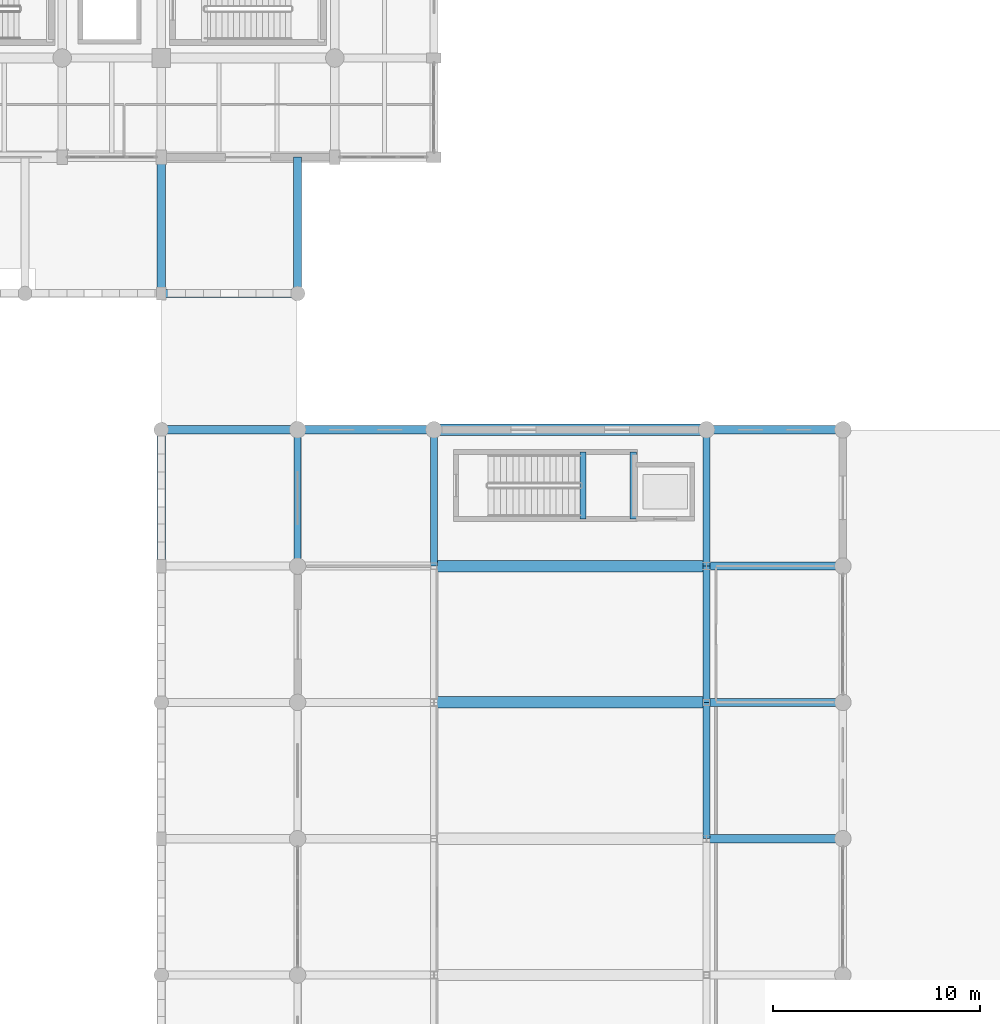
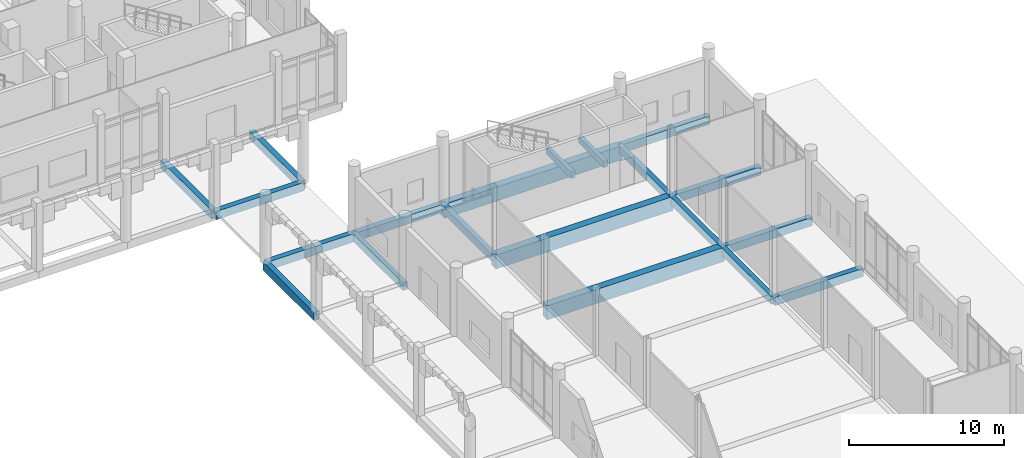
# One storey, part 15 of 72: 20 beams.
"""IFC4 building model written with IfcOpenShell, lengths in metres."""

from ifc_helpers import new_model, si_unit, direction, frame, origin, origin_2d, place, context, subcontext, project, spatial, rectangle, extrude, material, material_profile, profile_set, type_object, element, save


model = new_model("IFC4")

# Units and contexts
model_context = context("Model", 3, precision=1e-05, world=origin(), true_north=direction((0.0, 1.0)))
body_context = subcontext(model_context, "Body", "Model", "MODEL_VIEW")
ifc_project = project(units=[si_unit("LENGTHUNIT", "METRE"), si_unit("AREAUNIT", "SQUARE_METRE"), si_unit("VOLUMEUNIT", "CUBIC_METRE"), si_unit("PLANEANGLEUNIT", "RADIAN"), si_unit("MASSUNIT", "GRAM", prefix="KILO")], contexts=[model_context])

# Site, building, storey
site_placement = place(None, origin())
site = spatial("IfcSite", under=ifc_project, at=site_placement, CompositionType="ELEMENT")
building_placement = place(site_placement, origin())
building = spatial("IfcBuilding", under=site, at=building_placement, Name="Dornvale Research Institute", CompositionType="ELEMENT")
storey_placement = place(building_placement, origin())
storey = spatial("IfcBuildingStorey", under=building, at=storey_placement, Name="L00", CompositionType="ELEMENT", Elevation=0.0)

# Beams
ifc_material_1 = material(Name="Concrete f'c 45 MPa (C35/45)", Category="concrete")
ifc_material_profile_1 = material_profile(ifc_material_1, rectangle(XDim=0.300048828125, YDim=0.5, at=origin_2d()), Name="RC 300x500")
ifc_profile_set_1 = profile_set([ifc_material_profile_1], Name="Concrete f'c 45 MPa (C35/45)")
beam_type_1 = type_object("IfcBeamType", Name="Beam_RC300x500_Trim", PredefinedType="BEAM", material=ifc_profile_set_1)
for number, where, z_axis, x_axis, name in (
    (1, (55.85009765625, 81.47998046875, 2.25), (0.0, 1.0, 0.0), (-1.0, 0.0, 0.0), "L00 ST-8 half-landing support beam #105"),
    (2, (53.419921875, 81.47998046875, 2.25), (0.0, 1.0, 0.0), (-1.0, 0.0, 0.0), "L00 ST-8 base half-landing trimmer #106"),
):
    element("IfcBeam", number, at=place(storey_placement, frame(where, z_axis=z_axis, x_axis=x_axis)), inside=storey, type_object=beam_type_1, Name=name, PredefinedType="BEAM", context=body_context, shape_type="SweptSolid", body=[
        extrude(rectangle(XDim=0.300048828125, YDim=0.5, at=origin_2d()), origin(), (0.0, 0.0, 1.0), 3.239990234375),
    ])
ifc_material_2 = material(Name="Concrete f'c 45 MPa (C35/45)", Category="concrete")
ifc_material_profile_2 = material_profile(ifc_material_2, rectangle(XDim=0.35009765625, YDim=0.60009765625, at=origin_2d()), Name="RC 350x600")
ifc_profile_set_2 = profile_set([ifc_material_profile_2], Name="Concrete f'c 45 MPa (C35/45)")
beam_type_2 = type_object("IfcBeamType", Name="Beam_RC350x600_Floor", PredefinedType="BEAM", material=ifc_profile_set_2)
for number, where, z_axis, x_axis, name in (
    (3, (39.60009765625, 79.199951171875, -0.300048828125), (0.0, 1.0, 0.0), (-1.0, 0.0, 0.0), "L00 transverse girder #246"),
    (4, (46.199951171875, 79.199951171875, -0.300048828125), (0.0, 1.0, 0.0), (-1.0, 0.0, 0.0), "L00 transverse girder #253"),
    (5, (59.39990234375, 66.0, -0.300048828125), (0.0, 1.0, 0.0), (-1.0, 0.0, 0.0), "L00 transverse girder #258"),
):
    element("IfcBeam", number, at=place(storey_placement, frame(where, z_axis=z_axis, x_axis=x_axis)), inside=storey, type_object=beam_type_2, Name=name, PredefinedType="BEAM", context=body_context, shape_type="SweptSolid", body=[
        extrude(rectangle(XDim=0.35009765625, YDim=0.60009765625, at=origin_2d()), origin(), (0.0, 0.0, 1.0), 6.60009765625),
    ])
beam_1_placement = place(storey_placement, frame((59.39990234375, 72.60009765625, -0.300048828125), z_axis=(0.0, 1.0, 0.0), x_axis=(-1.0, 0.0, 0.0)))
element("IfcBeam", 6, at=beam_1_placement, inside=storey, type_object=beam_type_2, Name="L00 transverse girder #259", PredefinedType="BEAM", context=body_context, shape_type="SweptSolid", body=[
    extrude(rectangle(XDim=0.35009765625, YDim=0.60009765625, at=origin_2d()), origin(), (0.0, 0.0, 1.0), 6.599853515625),
])
beam_2_placement = place(storey_placement, frame((59.39990234375, 79.199951171875, -0.300048828125), z_axis=(0.0, 1.0, 0.0), x_axis=(-1.0, 0.0, 0.0)))
element("IfcBeam", 7, at=beam_2_placement, inside=storey, type_object=beam_type_2, Name="L00 transverse girder #260", PredefinedType="BEAM", context=body_context, shape_type="SweptSolid", body=[
    extrude(rectangle(XDim=0.35009765625, YDim=0.60009765625, at=origin_2d()), origin(), (0.0, 0.0, 1.0), 6.60009765625),
])
ifc_material_3 = material(Name="Concrete f'c 45 MPa (C35/45)", Category="concrete")
ifc_material_profile_3 = material_profile(ifc_material_3, rectangle(XDim=0.39990234375, YDim=0.64990234375, at=origin_2d()), Name="RC 400x650")
ifc_profile_set_3 = profile_set([ifc_material_profile_3], Name="Concrete f'c 45 MPa (C35/45)")
beam_type_3 = type_object("IfcBeamType", Name="Beam_RC400x650_Floor", PredefinedType="BEAM", material=ifc_profile_set_3)
for number, where, z_axis, x_axis, name in (
    (8, (59.39990234375, 66.0, -0.324951171875), (1.0, 0.0, 0.0), (0.0, 1.0, 0.0), "L00 primary girder #230"),
    (9, (59.39990234375, 72.60009765625, -0.324951171875), (1.0, 0.0, 0.0), (0.0, 1.0, 0.0), "L00 primary girder #233"),
    (10, (59.39990234375, 79.199951171875, -0.324951171875), (1.0, 0.0, 0.0), (0.0, 1.0, 0.0), "L00 primary girder #236"),
):
    element("IfcBeam", number, at=place(storey_placement, frame(where, z_axis=z_axis, x_axis=x_axis)), inside=storey, type_object=beam_type_3, Name=name, PredefinedType="BEAM", context=body_context, shape_type="SweptSolid", body=[
        extrude(rectangle(XDim=0.39990234375, YDim=0.64990234375, at=origin_2d()), origin(), (0.0, 0.0, 1.0), 6.60009765625),
    ])
beam_3_placement = place(storey_placement, frame((39.60009765625, 85.800048828125, -0.324951171875), z_axis=(1.0, 0.0, 0.0), x_axis=(0.0, 1.0, 0.0)))
element("IfcBeam", 11, at=beam_3_placement, inside=storey, type_object=beam_type_3, Name="L00 primary girder #237", PredefinedType="BEAM", context=body_context, shape_type="SweptSolid", body=[
    extrude(rectangle(XDim=0.39990234375, YDim=0.64990234375, at=origin_2d()), origin(), (0.0, 0.0, 1.0), 6.599853515625),
])
for number, where, z_axis, x_axis, name in (
    (12, (59.39990234375, 85.800048828125, -0.324951171875), (1.0, 0.0, 0.0), (0.0, 1.0, 0.0), "L00 primary girder #239"),
    (13, (33.0, 92.39990234375, -0.324951171875), (1.0, 0.0, 0.0), (0.0, 1.0, 0.0), "L00 arcade grade beam #1850"),
    (14, (33.0, 92.39990234375, -0.324951171875), (0.0, 1.0, 0.0), (-1.0, 0.0, 0.0), "L00 arcade tie beam #1862"),
    (15, (39.60009765625, 92.39990234375, -0.324951171875), (0.0, 1.0, 0.0), (-1.0, 0.0, 0.0), "L00 arcade tie beam #1864"),
    (16, (33.0, 79.199951171875, -0.324951171875), (0.0, 1.0, 0.0), (-1.0, 0.0, 0.0), "L00 arcade grade beam #1878"),
    (17, (33.0, 85.800048828125, -0.324951171875), (1.0, 0.0, 0.0), (0.0, 1.0, 0.0), "L00 arcade tie beam #1894"),
):
    element("IfcBeam", number, at=place(storey_placement, frame(where, z_axis=z_axis, x_axis=x_axis)), inside=storey, type_object=beam_type_3, Name=name, PredefinedType="BEAM", context=body_context, shape_type="SweptSolid", body=[
        extrude(rectangle(XDim=0.39990234375, YDim=0.64990234375, at=origin_2d()), origin(), (0.0, 0.0, 1.0), 6.60009765625),
    ])
ifc_material_4 = material(Name="Concrete f'c 45 MPa (C35/45)", Category="concrete")
ifc_material_profile_4 = material_profile(ifc_material_4, rectangle(XDim=0.550048828125, YDim=1.10009765625, at=origin_2d()), Name="RC 550x1100")
ifc_profile_set_4 = profile_set([ifc_material_profile_4], Name="Concrete f'c 45 MPa (C35/45)")
beam_type_4 = type_object("IfcBeamType", Name="Beam_RC550x1100_Girder", PredefinedType="BEAM", material=ifc_profile_set_4)
for number, where, z_axis, x_axis, name in (
    (18, (46.199951171875, 72.60009765625, -0.550048828125), (1.0, 0.0, 0.0), (0.0, 1.0, 0.0), "L00 primary girder #232"),
    (19, (46.199951171875, 79.199951171875, -0.550048828125), (1.0, 0.0, 0.0), (0.0, 1.0, 0.0), "L00 primary girder #235"),
    (20, (46.199951171875, 85.800048828125, -0.550048828125), (1.0, 0.0, 0.0), (0.0, 1.0, 0.0), "L00 primary girder #238"),
):
    element("IfcBeam", number, at=place(storey_placement, frame(where, z_axis=z_axis, x_axis=x_axis)), inside=storey, type_object=beam_type_4, Name=name, PredefinedType="BEAM", context=body_context, shape_type="SweptSolid", body=[
        extrude(rectangle(XDim=0.550048828125, YDim=1.10009765625, at=origin_2d()), origin(), (0.0, 0.0, 1.0), 13.199951171875),
    ])

save(model, "model.ifc")
